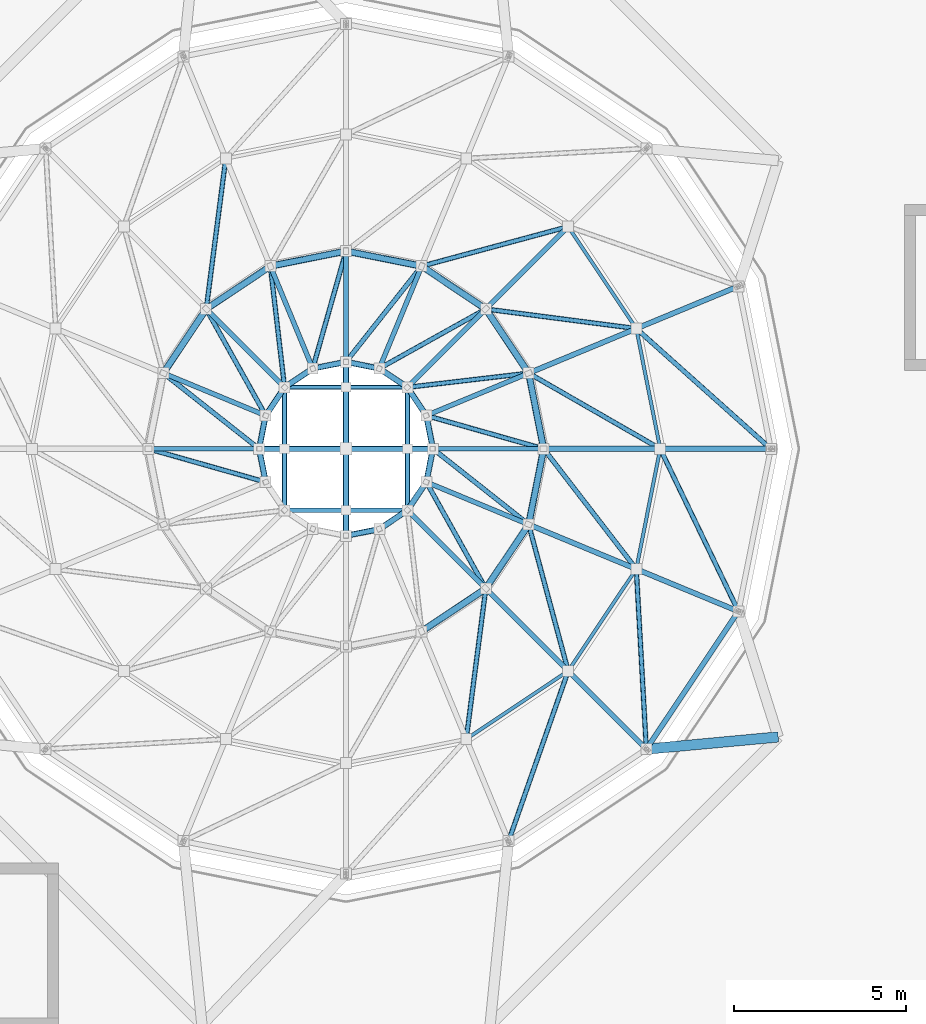
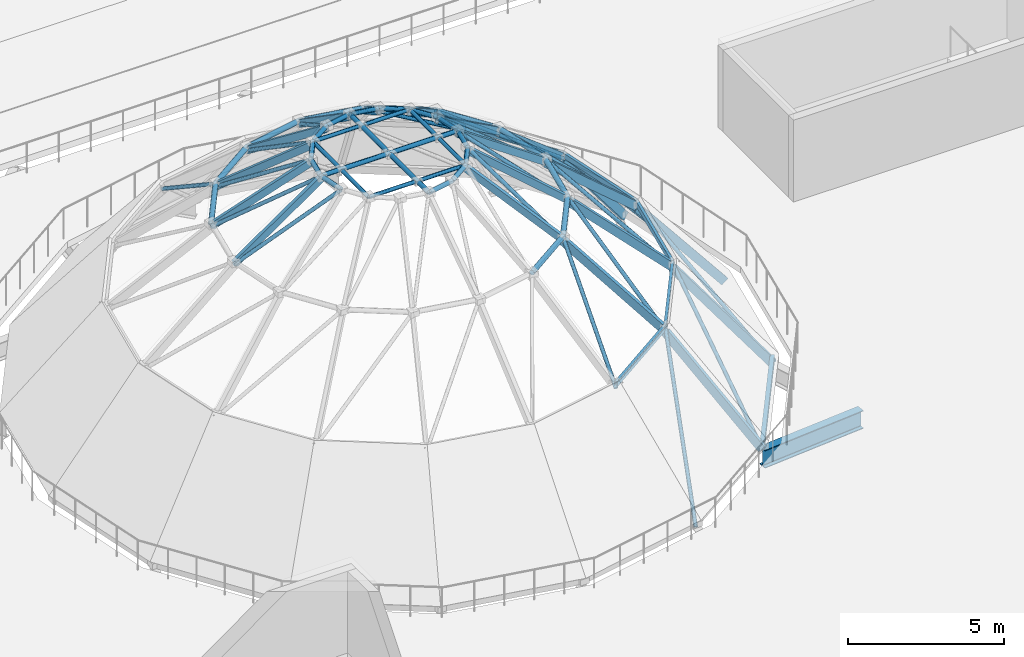
# One storey, part 6 of 40: 82 members, 1 beam.
"""IFC4 building model written with IfcOpenShell, lengths in metres."""

from ifc_helpers import new_model, si_unit, direction, frame, origin, origin_2d, place, context, subcontext, project, spatial, hollow_rectangle, hollow_circle, i_section, extrude, material, material_profile, profile_set, type_object, element, save


model = new_model("IFC4")

# Units and contexts
model_context = context("Model", 3, precision=1e-05, world=origin(), true_north=direction((0.0, 1.0)))
body_context = subcontext(model_context, "Body", "Model", "MODEL_VIEW")
ifc_project = project(units=[si_unit("LENGTHUNIT", "METRE"), si_unit("AREAUNIT", "SQUARE_METRE"), si_unit("VOLUMEUNIT", "CUBIC_METRE"), si_unit("PLANEANGLEUNIT", "RADIAN"), si_unit("MASSUNIT", "GRAM", prefix="KILO"), si_unit("THERMODYNAMICTEMPERATUREUNIT", "KELVIN")], contexts=[model_context])

# Site, building, storey
site_placement = place(None, origin())
site = spatial("IfcSite", under=ifc_project, at=site_placement, CompositionType="ELEMENT")
building_placement = place(site_placement, origin())
building = spatial("IfcBuilding", under=site, at=building_placement, Name="Lustrewick Department Store", CompositionType="ELEMENT")
storey_placement = place(building_placement, frame((0.0, 0.0, 31.800048828125)))
storey = spatial("IfcBuildingStorey", under=building, at=storey_placement, Name="L07", CompositionType="ELEMENT", Elevation=31.800048828125)

# Members
ifc_material_1 = material(Name="Structural steel Q355C", Category="steel")
ifc_material_profile_1 = material_profile(ifc_material_1, hollow_rectangle(XDim=0.14990234375, YDim=0.300048828125, WallThickness=0.010009765625, at=origin_2d()), Name="RHS 300x150x10")
ifc_profile_set_1 = profile_set([ifc_material_profile_1], Name="Structural steel Q355C")
member_type_1 = type_object("IfcMemberType", Name="DR01", PredefinedType="USERDEFINED", material=ifc_profile_set_1)
member_1_placement = place(storey_placement, frame((38.15576171875, 58.4443359375, -0.170654296875), z_axis=(0.55556285078, 0.83147454491, 0.0), x_axis=(-0.83147454491, 0.55556285078, 0.0)))
element("IfcMember", 1, at=member_1_placement, inside=storey, type_object=member_type_1, Name="L07 Dome Drum Tension Ring Beam 15", ObjectType="ARCH_SEGMENT", PredefinedType="USERDEFINED", context=body_context, shape_type="SweptSolid", body=[
    extrude(hollow_rectangle(XDim=0.14990234375, YDim=0.300048828125, WallThickness=0.010009765625, at=origin_2d()), origin(), (0.0, 0.0, 1.0), 4.831298828125),
])
for number, where, z_axis, x_axis, name in (
    (2, (41.782470703125, 67.199951171875, -0.32666015625), (-0.627125427781, 0.0, 0.778918287005), (0.0, -1.0, 0.0), "V1 Dome Arch Segment 1.01"),
    (3, (40.83984375, 71.938720703125, -0.32666015625), (-0.579377901493, -0.240017807162, 0.778917646165), (0.382726472086, -0.9238617037, 0.0), "V1 Dome Arch Segment 1.02"),
    (4, (38.15576171875, 58.4443359375, -0.32666015625), (-0.443459475704, 0.443411965583, 0.778928444844), (-0.707068900128, -0.707144660216, 0.0), "V1 Dome Arch Segment 1.15"),
    (5, (40.83984375, 62.46142578125, -0.32666015625), (-0.579384507666, 0.239973033885, 0.778926527527), (-0.38266180877, -0.923888489001, 0.0), "V1 Dome Arch Segment 1.16"),
):
    element("IfcMember", number, at=place(storey_placement, frame(where, z_axis=z_axis, x_axis=x_axis)), inside=storey, type_object=member_type_1, Name=name, ObjectType="ARCH_SEGMENT", PredefinedType="USERDEFINED", context=body_context, shape_type="SweptSolid", body=[
        extrude(hollow_rectangle(XDim=0.14990234375, YDim=0.300048828125, WallThickness=0.010009765625, at=origin_2d()), origin(), (0.0, 0.0, 1.0), 5.138671875),
    ])
member_2_placement = place(storey_placement, frame((38.539306640625, 67.199951171875, 3.746337890625), z_axis=(-0.760656585404, 0.0, 0.649154495542), x_axis=(0.0, -1.0, 0.0)))
element("IfcMember", 6, at=member_2_placement, inside=storey, type_object=member_type_1, Name="V1 Dome Arch Segment 2.01", ObjectType="ARCH_SEGMENT", PredefinedType="USERDEFINED", context=body_context, shape_type="SweptSolid", body=[
    extrude(hollow_rectangle(XDim=0.14990234375, YDim=0.300048828125, WallThickness=0.010009765625, at=origin_2d()), origin(), (0.0, 0.0, 1.0), 4.438232421875),
])
member_3_placement = place(storey_placement, frame((37.84375, 70.697509765625, 3.746337890625), z_axis=(-0.702768730496, -0.291096753427, 0.649136959032), x_axis=(0.382683896966, -0.923879340067, 0.0)))
element("IfcMember", 7, at=member_3_placement, inside=storey, type_object=member_type_1, Name="V1 Dome Arch Segment 2.02", ObjectType="ARCH_SEGMENT", PredefinedType="USERDEFINED", context=body_context, shape_type="SweptSolid", body=[
    extrude(hollow_rectangle(XDim=0.14990234375, YDim=0.300048828125, WallThickness=0.010009765625, at=origin_2d()), origin(), (0.0, 0.0, 1.0), 4.4384765625),
])
member_4_placement = place(storey_placement, frame((35.862548828125, 73.66259765625, 3.746337890625), z_axis=(-0.537868383563, -0.537868383563, 0.649149600575), x_axis=(0.707106781187, -0.707106781187, 0.0)))
element("IfcMember", 8, at=member_4_placement, inside=storey, type_object=member_type_1, Name="V1 Dome Arch Segment 2.03", ObjectType="ARCH_SEGMENT", PredefinedType="USERDEFINED", context=body_context, shape_type="SweptSolid", body=[
    extrude(hollow_rectangle(XDim=0.14990234375, YDim=0.300048828125, WallThickness=0.010009765625, at=origin_2d()), origin(), (0.0, 0.0, 1.0), 4.438232421875),
])
for number, where, z_axis, x_axis, name in (
    (9, (35.862548828125, 60.7373046875, 3.746337890625), (-0.537852469504, 0.537907475893, 0.649130394009), (-0.707142936461, -0.707070624063, 0.0), "V1 Dome Arch Segment 2.15"),
    (10, (37.84375, 63.702392578125, 3.746337890625), (-0.702768730496, 0.291096753427, 0.649136959032), (-0.382683896966, -0.923879340067, 0.0), "V1 Dome Arch Segment 2.16"),
):
    element("IfcMember", number, at=place(storey_placement, frame(where, z_axis=z_axis, x_axis=x_axis)), inside=storey, type_object=member_type_1, Name=name, ObjectType="ARCH_SEGMENT", PredefinedType="USERDEFINED", context=body_context, shape_type="SweptSolid", body=[
        extrude(hollow_rectangle(XDim=0.14990234375, YDim=0.300048828125, WallThickness=0.010009765625, at=origin_2d()), origin(), (0.0, 0.0, 1.0), 4.4384765625),
    ])
ifc_material_profile_2 = material_profile(ifc_material_1, hollow_rectangle(XDim=0.139892578125, YDim=0.260009765625, WallThickness=0.010009765625, at=origin_2d()), Name="RHS 260x140x10")
ifc_profile_set_2 = profile_set([ifc_material_profile_2], Name="Structural steel Q355C")
member_type_2 = type_object("IfcMemberType", Name="DR02", PredefinedType="USERDEFINED", material=ifc_profile_set_2)
for number, where, z_axis, x_axis, name in (
    (11, (35.14404296875, 67.199951171875, 6.68505859375), (-0.823365173466, 0.0, 0.56751193038), (0.0, -1.0, 0.0), "V1 Dome Arch Segment 3.01"),
    (12, (34.706787109375, 69.398193359375, 6.68505859375), (-0.760678120643, -0.315106762038, 0.567517863413), (0.382707864323, -0.923869412085, 0.0), "V1 Dome Arch Segment 3.02"),
):
    element("IfcMember", number, at=place(storey_placement, frame(where, z_axis=z_axis, x_axis=x_axis)), inside=storey, type_object=member_type_2, Name=name, ObjectType="ARCH_SEGMENT", PredefinedType="USERDEFINED", context=body_context, shape_type="SweptSolid", body=[
        extrude(hollow_rectangle(XDim=0.139892578125, YDim=0.260009765625, WallThickness=0.010009765625, at=origin_2d()), origin(), (0.0, 0.0, 1.0), 3.89794921875),
    ])
member_5_placement = place(storey_placement, frame((33.461669921875, 71.26171875, 6.68505859375), z_axis=(-0.582214646702, -0.582214646702, 0.56749644081), x_axis=(0.707106781187, -0.707106781187, 0.0)))
element("IfcMember", 13, at=member_5_placement, inside=storey, type_object=member_type_2, Name="V1 Dome Arch Segment 3.03", ObjectType="ARCH_SEGMENT", PredefinedType="USERDEFINED", context=body_context, shape_type="SweptSolid", body=[
    extrude(hollow_rectangle(XDim=0.139892578125, YDim=0.260009765625, WallThickness=0.010009765625, at=origin_2d()), origin(), (0.0, 0.0, 1.0), 3.898193359375),
])
for number, where, z_axis, x_axis, name in (
    (14, (31.59814453125, 72.5068359375, 6.68505859375), (-0.315106762038, -0.760678120643, 0.567517863413), (0.923869412085, -0.382707864323, 0.0), "V1 Dome Arch Segment 3.04"),
    (15, (29.39990234375, 72.944091796875, 6.68505859375), (0.0, -0.823365173466, 0.56751193038), (1.0, 0.0, 0.0), "V1 Dome Arch Segment 3.05"),
    (16, (27.201904296875, 72.5068359375, 6.68505859375), (0.315106762038, -0.760678120643, 0.567517863413), (0.923869412085, 0.382707864323, 0.0), "V1 Dome Arch Segment 3.06"),
):
    element("IfcMember", number, at=place(storey_placement, frame(where, z_axis=z_axis, x_axis=x_axis)), inside=storey, type_object=member_type_2, Name=name, ObjectType="ARCH_SEGMENT", PredefinedType="USERDEFINED", context=body_context, shape_type="SweptSolid", body=[
        extrude(hollow_rectangle(XDim=0.139892578125, YDim=0.260009765625, WallThickness=0.010009765625, at=origin_2d()), origin(), (0.0, 0.0, 1.0), 3.89794921875),
    ])
member_6_placement = place(storey_placement, frame((25.33837890625, 71.26171875, 6.68505859375), z_axis=(0.582214646702, -0.582214646702, 0.56749644081), x_axis=(0.707106781187, 0.707106781187, 0.0)))
element("IfcMember", 17, at=member_6_placement, inside=storey, type_object=member_type_2, Name="V1 Dome Arch Segment 3.07", ObjectType="ARCH_SEGMENT", PredefinedType="USERDEFINED", context=body_context, shape_type="SweptSolid", body=[
    extrude(hollow_rectangle(XDim=0.139892578125, YDim=0.260009765625, WallThickness=0.010009765625, at=origin_2d()), origin(), (0.0, 0.0, 1.0), 3.898193359375),
])
for number, where, z_axis, x_axis, name in (
    (18, (24.09326171875, 69.398193359375, 6.68505859375), (0.760678120643, -0.315106762038, 0.567517863413), (0.382707864323, 0.923869412085, 0.0), "V1 Dome Arch Segment 3.08"),
    (19, (23.656005859375, 67.199951171875, 6.68505859375), (0.823365173466, 0.0, 0.56751193038), (0.0, 1.0, 0.0), "V1 Dome Arch Segment 3.09"),
    (20, (33.461669921875, 63.138427734375, 6.68505859375), (-0.582235876881, 0.582173243934, 0.567517134296), (-0.707068745266, -0.707144815061, 0.0), "V1 Dome Arch Segment 3.15"),
    (21, (34.706787109375, 65.001708984375, 6.68505859375), (-0.760678120643, 0.315106762038, 0.567517863413), (-0.382707864323, -0.923869412085, 0.0), "V1 Dome Arch Segment 3.16"),
):
    element("IfcMember", number, at=place(storey_placement, frame(where, z_axis=z_axis, x_axis=x_axis)), inside=storey, type_object=member_type_2, Name=name, ObjectType="ARCH_SEGMENT", PredefinedType="USERDEFINED", context=body_context, shape_type="SweptSolid", body=[
        extrude(hollow_rectangle(XDim=0.139892578125, YDim=0.260009765625, WallThickness=0.010009765625, at=origin_2d()), origin(), (0.0, 0.0, 1.0), 3.89794921875),
    ])
ifc_material_2 = material(Name="Structural steel Q355B", Category="steel")
ifc_material_profile_3 = material_profile(ifc_material_2, hollow_rectangle(XDim=0.10009765625, YDim=0.199951171875, WallThickness=0.008056640625, at=origin_2d()), Name="RHS 200x100x8")
ifc_profile_set_3 = profile_set([ifc_material_profile_3], Name="Structural steel Q355B")
member_type_3 = type_object("IfcMemberType", Name="DR04", PredefinedType="PURLIN", material=ifc_profile_set_3)
for number, where, z_axis, x_axis, name in (
    (22, (38.559814453125, 67.199951171875, 3.865966796875), (-0.195091388425, 0.980785068281, 0.0), (-0.980785068281, -0.195091388425, 0.0), "V1 Dome Tension Ring Member 1.01"),
    (23, (37.862548828125, 70.705322265625, 3.865966796875), (-0.555566909235, 0.831471833175, 0.0), (-0.831471833175, -0.555566909235, 0.0), "V1 Dome Tension Ring Member 1.02"),
    (24, (32.9052734375, 58.7373046875, 3.865966796875), (0.831471833175, 0.555566909235, 0.0), (-0.555566909235, 0.831471833175, 0.0), "V1 Dome Tension Ring Member 1.14"),
    (25, (35.876953125, 60.722900390625, 3.865966796875), (0.555566909235, 0.831471833175, 0.0), (-0.831471833175, 0.555566909235, 0.0), "V1 Dome Tension Ring Member 1.15"),
    (26, (37.862548828125, 63.694580078125, 3.865966796875), (0.195091388425, 0.980785068281, 0.0), (-0.980785068281, 0.195091388425, 0.0), "V1 Dome Tension Ring Member 1.16"),
):
    element("IfcMember", number, at=place(storey_placement, frame(where, z_axis=z_axis, x_axis=x_axis)), inside=storey, type_object=member_type_3, Name=name, PredefinedType="PURLIN", context=body_context, shape_type="SweptSolid", body=[
        extrude(hollow_rectangle(XDim=0.10009765625, YDim=0.199951171875, WallThickness=0.008056640625, at=origin_2d()), origin(), (0.0, 0.0, 1.0), 3.573974609375),
    ])
ifc_material_profile_4 = material_profile(ifc_material_1, hollow_circle(Radius=0.096923828125, WallThickness=0.008056640625, at=origin_2d()), Name="CHS 194x8")
ifc_profile_set_4 = profile_set([ifc_material_profile_4], Name="Structural steel Q355C")
member_type_4 = type_object("IfcMemberType", Name="DR07", PredefinedType="CHORD", material=ifc_profile_set_4)
for number, where, z_axis, x_axis, name in (
    (27, (35.163330078125, 67.199951171875, 6.77783203125), (-0.195093003157, 0.980784747087, 0.0), (-0.980784747087, -0.195093003157, 0.0), "V1 Dome Tension Ring Member 2.01"),
    (28, (34.724609375, 69.405517578125, 6.77783203125), (-0.555526685996, 0.831498707844, 0.0), (-0.831498707844, -0.555526685996, 0.0), "V1 Dome Tension Ring Member 2.02"),
):
    element("IfcMember", number, at=place(storey_placement, frame(where, z_axis=z_axis, x_axis=x_axis)), inside=storey, type_object=member_type_4, Name=name, PredefinedType="CHORD", context=body_context, shape_type="SweptSolid", body=[
        extrude(hollow_circle(Radius=0.096923828125, WallThickness=0.008056640625, at=origin_2d()), origin(), (0.0, 0.0, 1.0), 2.248779296875),
    ])
member_7_placement = place(storey_placement, frame((33.475341796875, 71.275390625, 6.77783203125), z_axis=(-0.831465199099, 0.555576837789, 0.0), x_axis=(-0.555576837789, -0.831465199099, 0.0)))
element("IfcMember", 29, at=member_7_placement, inside=storey, type_object=member_type_4, Name="V1 Dome Tension Ring Member 2.03", PredefinedType="CHORD", context=body_context, shape_type="SweptSolid", body=[
    extrude(hollow_circle(Radius=0.096923828125, WallThickness=0.008056640625, at=origin_2d()), origin(), (0.0, 0.0, 1.0), 2.24853515625),
])
member_8_placement = place(storey_placement, frame((31.605712890625, 72.524658203125, 6.77783203125), z_axis=(-0.980788878586, 0.195072231856, 0.0), x_axis=(-0.195072231856, -0.980788878586, 0.0)))
element("IfcMember", 30, at=member_8_placement, inside=storey, type_object=member_type_4, Name="V1 Dome Tension Ring Member 2.04", PredefinedType="CHORD", context=body_context, shape_type="SweptSolid", body=[
    extrude(hollow_circle(Radius=0.096923828125, WallThickness=0.008056640625, at=origin_2d()), origin(), (0.0, 0.0, 1.0), 2.2490234375),
])
member_9_placement = place(storey_placement, frame((29.39990234375, 72.96337890625, 6.77783203125), z_axis=(-0.980784747087, -0.195093003157, 0.0), x_axis=(0.195093003157, -0.980784747087, 0.0)))
element("IfcMember", 31, at=member_9_placement, inside=storey, type_object=member_type_4, Name="V1 Dome Tension Ring Member 2.05", PredefinedType="CHORD", context=body_context, shape_type="SweptSolid", body=[
    extrude(hollow_circle(Radius=0.096923828125, WallThickness=0.008056640625, at=origin_2d()), origin(), (0.0, 0.0, 1.0), 2.248779296875),
])
member_10_placement = place(storey_placement, frame((27.1943359375, 72.524658203125, 6.77783203125), z_axis=(-0.831465199099, -0.555576837789, 0.0), x_axis=(0.555576837789, -0.831465199099, 0.0)))
element("IfcMember", 32, at=member_10_placement, inside=storey, type_object=member_type_4, Name="V1 Dome Tension Ring Member 2.06", PredefinedType="CHORD", context=body_context, shape_type="SweptSolid", body=[
    extrude(hollow_circle(Radius=0.096923828125, WallThickness=0.008056640625, at=origin_2d()), origin(), (0.0, 0.0, 1.0), 2.24853515625),
])
member_11_placement = place(storey_placement, frame((25.32470703125, 71.275390625, 6.77783203125), z_axis=(-0.555601739915, -0.831448559205, 0.0), x_axis=(0.831448559205, -0.555601739915, 0.0)))
element("IfcMember", 33, at=member_11_placement, inside=storey, type_object=member_type_4, Name="V1 Dome Tension Ring Member 2.07", PredefinedType="CHORD", context=body_context, shape_type="SweptSolid", body=[
    extrude(hollow_circle(Radius=0.096923828125, WallThickness=0.008056640625, at=origin_2d()), origin(), (0.0, 0.0, 1.0), 2.2490234375),
])
member_12_placement = place(storey_placement, frame((31.605712890625, 61.875244140625, 6.77783203125), z_axis=(0.831415043426, 0.555651892433, 0.0), x_axis=(-0.555651892433, 0.831415043426, 0.0)))
element("IfcMember", 34, at=member_12_placement, inside=storey, type_object=member_type_4, Name="V1 Dome Tension Ring Member 2.14", PredefinedType="CHORD", context=body_context, shape_type="SweptSolid", body=[
    extrude(hollow_circle(Radius=0.096923828125, WallThickness=0.008056640625, at=origin_2d()), origin(), (0.0, 0.0, 1.0), 2.248779296875),
])
member_13_placement = place(storey_placement, frame((33.475341796875, 63.124755859375, 6.77783203125), z_axis=(0.555576837789, 0.831465199099, 0.0), x_axis=(-0.831465199099, 0.555576837789, 0.0)))
element("IfcMember", 35, at=member_13_placement, inside=storey, type_object=member_type_4, Name="V1 Dome Tension Ring Member 2.15", PredefinedType="CHORD", context=body_context, shape_type="SweptSolid", body=[
    extrude(hollow_circle(Radius=0.096923828125, WallThickness=0.008056640625, at=origin_2d()), origin(), (0.0, 0.0, 1.0), 2.24853515625),
])
member_14_placement = place(storey_placement, frame((34.724609375, 64.994384765625, 6.77783203125), z_axis=(0.195093003157, 0.980784747087, 0.0), x_axis=(-0.980784747087, 0.195093003157, 0.0)))
element("IfcMember", 36, at=member_14_placement, inside=storey, type_object=member_type_4, Name="V1 Dome Tension Ring Member 2.16", PredefinedType="CHORD", context=body_context, shape_type="SweptSolid", body=[
    extrude(hollow_circle(Radius=0.096923828125, WallThickness=0.008056640625, at=origin_2d()), origin(), (0.0, 0.0, 1.0), 2.248779296875),
])
ifc_material_profile_5 = material_profile(ifc_material_1, hollow_circle(Radius=0.083984375, WallThickness=0.008056640625, at=origin_2d()), Name="CHS 168x8")
ifc_profile_set_5 = profile_set([ifc_material_profile_5], Name="Structural steel Q355C")
member_type_5 = type_object("IfcMemberType", Name="DR08", PredefinedType="CHORD", material=ifc_profile_set_5)
for number, where, z_axis, x_axis, name in (
    (37, (31.9345703125, 67.199951171875, 8.9951171875), (-0.195024106431, 0.980798449178, 0.0), (-0.980798449178, -0.195024106431, 0.0), "V1 Dome Oculus Tension Ring Chord 3.01"),
    (38, (31.74169921875, 68.169921875, 8.9951171875), (-0.555668247551, 0.831404112729, 0.0), (-0.831404112729, -0.555668247552, 0.0), "V1 Dome Oculus Tension Ring Chord 3.02"),
    (39, (31.192138671875, 68.9921875, 8.9951171875), (-0.831404112729, 0.555668247551, 0.0), (-0.555668247552, -0.831404112729, 0.0), "V1 Dome Oculus Tension Ring Chord 3.03"),
    (40, (30.369873046875, 69.541748046875, 8.9951171875), (-0.980798449178, 0.195024106431, 0.0), (-0.195024106431, -0.980798449178, 0.0), "V1 Dome Oculus Tension Ring Chord 3.04"),
):
    element("IfcMember", number, at=place(storey_placement, frame(where, z_axis=z_axis, x_axis=x_axis)), inside=storey, type_object=member_type_5, Name=name, PredefinedType="CHORD", context=body_context, shape_type="SweptSolid", body=[
        extrude(hollow_circle(Radius=0.083984375, WallThickness=0.008056640625, at=origin_2d()), origin(), (0.0, 0.0, 1.0), 0.989013671875),
    ])
member_15_placement = place(storey_placement, frame((29.39990234375, 69.734619140625, 8.9951171875), z_axis=(-0.980789056368, -0.195071337999, 0.0), x_axis=(0.195071337999, -0.980789056368, 0.0)))
element("IfcMember", 41, at=member_15_placement, inside=storey, type_object=member_type_5, Name="V1 Dome Oculus Tension Ring Chord 3.05", PredefinedType="CHORD", context=body_context, shape_type="SweptSolid", body=[
    extrude(hollow_circle(Radius=0.083984375, WallThickness=0.008056640625, at=origin_2d()), origin(), (0.0, 0.0, 1.0), 0.98876953125),
])
for number, where, z_axis, x_axis, name in (
    (42, (28.43017578125, 69.541748046875, 8.9951171875), (-0.831404112729, -0.555668247551, 0.0), (0.555668247552, -0.831404112729, 0.0), "V1 Dome Oculus Tension Ring Chord 3.06"),
    (43, (27.60791015625, 68.9921875, 8.9951171875), (-0.555668247551, -0.831404112729, 0.0), (0.831404112729, -0.555668247552, 0.0), "V1 Dome Oculus Tension Ring Chord 3.07"),
    (44, (27.058349609375, 68.169921875, 8.9951171875), (-0.195024106431, -0.980798449178, 0.0), (0.980798449178, -0.195024106431, 0.0), "V1 Dome Oculus Tension Ring Chord 3.08"),
    (45, (26.865478515625, 67.199951171875, 8.9951171875), (0.195024106431, -0.980798449178, 0.0), (0.980798449178, 0.195024106431, 0.0), "V1 Dome Oculus Tension Ring Chord 3.09"),
    (46, (29.39990234375, 64.665283203125, 8.9951171875), (0.980751202349, 0.195261565834, 0.0), (-0.195261565834, 0.980751202349, 0.0), "V1 Dome Oculus Tension Ring Chord 3.13"),
):
    element("IfcMember", number, at=place(storey_placement, frame(where, z_axis=z_axis, x_axis=x_axis)), inside=storey, type_object=member_type_5, Name=name, PredefinedType="CHORD", context=body_context, shape_type="SweptSolid", body=[
        extrude(hollow_circle(Radius=0.083984375, WallThickness=0.008056640625, at=origin_2d()), origin(), (0.0, 0.0, 1.0), 0.989013671875),
    ])
member_16_placement = place(storey_placement, frame((30.369873046875, 64.8583984375, 8.9951171875), z_axis=(0.831518153648, 0.555497578892, 0.0), x_axis=(-0.555497578892, 0.831518153648, 0.0)))
element("IfcMember", 47, at=member_16_placement, inside=storey, type_object=member_type_5, Name="V1 Dome Oculus Tension Ring Chord 3.14", PredefinedType="CHORD", context=body_context, shape_type="SweptSolid", body=[
    extrude(hollow_circle(Radius=0.083984375, WallThickness=0.008056640625, at=origin_2d()), origin(), (0.0, 0.0, 1.0), 0.98876953125),
])
for number, where, z_axis, x_axis, name in (
    (48, (31.192138671875, 65.40771484375, 8.9951171875), (0.555668247551, 0.831404112729, 0.0), (-0.831404112729, 0.555668247552, 0.0), "V1 Dome Oculus Tension Ring Chord 3.15"),
    (49, (31.74169921875, 66.22998046875, 8.9951171875), (0.195024106431, 0.980798449178, 0.0), (-0.980798449178, 0.195024106431, 0.0), "V1 Dome Oculus Tension Ring Chord 3.16"),
):
    element("IfcMember", number, at=place(storey_placement, frame(where, z_axis=z_axis, x_axis=x_axis)), inside=storey, type_object=member_type_5, Name=name, PredefinedType="CHORD", context=body_context, shape_type="SweptSolid", body=[
        extrude(hollow_circle(Radius=0.083984375, WallThickness=0.008056640625, at=origin_2d()), origin(), (0.0, 0.0, 1.0), 0.989013671875),
    ])
member_17_placement = place(storey_placement, frame((31.9345703125, 67.199951171875, 8.9951171875), z_axis=(-1.0, 0.0, 0.0), x_axis=(0.0, -1.0, 0.0)))
element("IfcMember", 50, at=member_17_placement, inside=storey, type_object=member_type_5, Name="V1 Dome Oculus Radial Tension Tie Spoke 1", PredefinedType="CHORD", context=body_context, shape_type="SweptSolid", body=[
    extrude(hollow_circle(Radius=0.083984375, WallThickness=0.008056640625, at=origin_2d()), origin(), (0.0, 0.0, 1.0), 5.069091796875),
])
for number, where, z_axis, x_axis, name in (
    (51, (29.39990234375, 69.734619140625, 8.9951171875), (0.0, -1.0, 0.0), (1.0, 0.0, 0.0), "V1 Dome Oculus Radial Tension Tie Spoke 2"),
    (52, (29.39990234375, 64.665283203125, 8.9951171875), (0.0, 1.0, 0.0), (-1.0, 0.0, 0.0), "V1 Dome Oculus Radial Tension Tie Spoke 3"),
):
    element("IfcMember", number, at=place(storey_placement, frame(where, z_axis=z_axis, x_axis=x_axis)), inside=storey, type_object=member_type_5, Name=name, PredefinedType="CHORD", context=body_context, shape_type="SweptSolid", body=[
        extrude(hollow_circle(Radius=0.083984375, WallThickness=0.008056640625, at=origin_2d()), origin(), (0.0, 0.0, 1.0), 2.44970703125),
    ])
ifc_material_profile_6 = material_profile(ifc_material_1, hollow_circle(Radius=0.070068359375, WallThickness=0.006103515625, at=origin_2d()), Name="CHS 140x6")
ifc_profile_set_6 = profile_set([ifc_material_profile_6], Name="Structural steel Q355C")
member_type_6 = type_object("IfcMemberType", Name="DR10", PredefinedType="BRACE", material=ifc_profile_set_6)
member_18_placement = place(storey_placement, frame((41.782470703125, 67.199951171875, -0.3515625), z_axis=(-0.582586158386, 0.520974841935, 0.623841792547), x_axis=(-0.666591272375, -0.745423420341, 0.0)))
element("IfcMember", 53, at=member_18_placement, inside=storey, type_object=member_type_6, Name="V1 Dome Wind Brace 1.01", PredefinedType="BRACE", context=body_context, shape_type="SweptSolid", body=[
    extrude(hollow_circle(Radius=0.070068359375, WallThickness=0.006103515625, at=origin_2d()), origin(), (0.0, 0.0, 1.0), 6.728515625),
])
for number, where, z_axis, x_axis, name in (
    (54, (34.138671875, 55.760009765625, -0.3515625), (0.258350932794, 0.737606427224, 0.623852189259), (-0.943783054816, 0.330565493422, 0.0), "V1 Dome Wind Brace 1.14"),
    (55, (38.15576171875, 58.4443359375, -0.3515625), (-0.043578994936, 0.78032163705, 0.623858168138), (-0.998444168104, -0.055760588044, 0.0), "V1 Dome Wind Brace 1.15"),
    (56, (40.83984375, 62.46142578125, -0.3515625), (-0.338866946884, 0.704258333021, 0.623850456985), (-0.901111867275, -0.433586672599, 0.0), "V1 Dome Wind Brace 1.16"),
):
    element("IfcMember", number, at=place(storey_placement, frame(where, z_axis=z_axis, x_axis=x_axis)), inside=storey, type_object=member_type_6, Name=name, PredefinedType="BRACE", context=body_context, shape_type="SweptSolid", body=[
        extrude(hollow_circle(Radius=0.070068359375, WallThickness=0.006103515625, at=origin_2d()), origin(), (0.0, 0.0, 1.0), 6.728271484375),
    ])
member_19_placement = place(storey_placement, frame((38.559814453125, 67.199951171875, 3.703857421875), z_axis=(-0.71341124411, 0.410271639143, 0.568085890418), x_axis=(-0.498526073294, -0.866874705045, 0.0)))
element("IfcMember", 57, at=member_19_placement, inside=storey, type_object=member_type_6, Name="V1 Dome Wind Brace 2.01", PredefinedType="BRACE", context=body_context, shape_type="SweptSolid", body=[
    extrude(hollow_circle(Radius=0.070068359375, WallThickness=0.006103515625, at=origin_2d()), origin(), (0.0, 0.0, 1.0), 5.3759765625),
])
for number, where, z_axis, x_axis, name in (
    (58, (37.862548828125, 70.705322265625, 3.703857421875), (-0.816103387628, 0.106043484146, 0.568093337553), (-0.128855536027, -0.991663375766, 0.0), "V1 Dome Wind Brace 2.02"),
    (59, (35.876953125, 73.677001953125, 3.703857421875), (-0.794547514554, -0.214362061657, 0.568104879083), (0.260478104755, -0.965479754808, 0.0), "V1 Dome Wind Brace 2.03"),
    (60, (25.894775390625, 75.66259765625, 3.703857421875), (-0.106043484146, -0.816103387628, 0.568093337553), (0.991663375766, -0.128855536027, 0.0), "V1 Dome Wind Brace 2.06"),
):
    element("IfcMember", number, at=place(storey_placement, frame(where, z_axis=z_axis, x_axis=x_axis)), inside=storey, type_object=member_type_6, Name=name, PredefinedType="BRACE", context=body_context, shape_type="SweptSolid", body=[
        extrude(hollow_circle(Radius=0.070068359375, WallThickness=0.006103515625, at=origin_2d()), origin(), (0.0, 0.0, 1.0), 5.375732421875),
    ])
for number, where, z_axis, x_axis, name in (
    (61, (32.9052734375, 58.7373046875, 3.703857421875), (0.10603955395, 0.816118554194, 0.568072282812), (-0.991664291958, 0.128848484877, 0.0), "V1 Dome Wind Brace 2.14"),
    (62, (35.876953125, 60.722900390625, 3.703857421875), (-0.214354326616, 0.794564258152, 0.568084379585), (-0.965483498817, -0.260464226933, 0.0), "V1 Dome Wind Brace 2.15"),
    (63, (37.862548828125, 63.694580078125, 3.703857421875), (-0.502098339502, 0.652055712606, 0.56808503336), (-0.792320280704, -0.610105378427, 0.0), "V1 Dome Wind Brace 2.16"),
):
    element("IfcMember", number, at=place(storey_placement, frame(where, z_axis=z_axis, x_axis=x_axis)), inside=storey, type_object=member_type_6, Name=name, PredefinedType="BRACE", context=body_context, shape_type="SweptSolid", body=[
        extrude(hollow_circle(Radius=0.070068359375, WallThickness=0.006103515625, at=origin_2d()), origin(), (0.0, 0.0, 1.0), 5.3759765625),
    ])
for number, where, z_axis, x_axis, name in (
    (64, (35.163330078125, 67.199951171875, 6.646484375), (-0.804903795302, 0.22817572449, 0.547782547241), (-0.272734956943, -0.962089207538, 0.0), "V1 Dome Wind Brace 3.01"),
    (65, (34.724609375, 69.405517578125, 6.646484375), (-0.830959573149, -0.097229563711, 0.547770572168), (0.116215922679, -0.993223972383, 0.0), "V1 Dome Wind Brace 3.02"),
):
    element("IfcMember", number, at=place(storey_placement, frame(where, z_axis=z_axis, x_axis=x_axis)), inside=storey, type_object=member_type_6, Name=name, PredefinedType="BRACE", context=body_context, shape_type="SweptSolid", body=[
        extrude(hollow_circle(Radius=0.070068359375, WallThickness=0.006103515625, at=origin_2d()), origin(), (0.0, 0.0, 1.0), 4.2509765625),
    ])
for number, where, z_axis, x_axis, name in (
    (66, (33.475341796875, 71.275390625, 6.646484375), (-0.730508620652, -0.407809883274, 0.547766605643), (0.4874428408, -0.873154898602, 0.0), "V1 Dome Wind Brace 3.03"),
    (67, (31.605712890625, 72.524658203125, 6.646484375), (-0.518872673327, -0.65630070955, 0.54775955265), (0.784452093207, -0.620189417407, 0.0), "V1 Dome Wind Brace 3.04"),
):
    element("IfcMember", number, at=place(storey_placement, frame(where, z_axis=z_axis, x_axis=x_axis)), inside=storey, type_object=member_type_6, Name=name, PredefinedType="BRACE", context=body_context, shape_type="SweptSolid", body=[
        extrude(hollow_circle(Radius=0.070068359375, WallThickness=0.006103515625, at=origin_2d()), origin(), (0.0, 0.0, 1.0), 4.251220703125),
    ])
for number, where, z_axis, x_axis, name in (
    (68, (29.39990234375, 72.96337890625, 6.646484375), (-0.228121281954, -0.80491434204, 0.547789724893), (0.962107218459, -0.272671414322, 0.0), "V1 Dome Wind Brace 3.05"),
    (69, (27.1943359375, 72.524658203125, 6.646484375), (0.097286450651, -0.8309549318, 0.547767512579), (0.993216046557, 0.116283639703, 0.0), "V1 Dome Wind Brace 3.06"),
):
    element("IfcMember", number, at=place(storey_placement, frame(where, z_axis=z_axis, x_axis=x_axis)), inside=storey, type_object=member_type_6, Name=name, PredefinedType="BRACE", context=body_context, shape_type="SweptSolid", body=[
        extrude(hollow_circle(Radius=0.070068359375, WallThickness=0.006103515625, at=origin_2d()), origin(), (0.0, 0.0, 1.0), 4.2509765625),
    ])
for number, where, z_axis, x_axis, name in (
    (70, (25.32470703125, 71.275390625, 6.646484375), (0.407809883274, -0.730508620652, 0.547766605643), (0.873154898602, 0.4874428408, 0.0), "V1 Dome Wind Brace 3.07"),
    (71, (24.0751953125, 69.405517578125, 6.646484375), (0.656352956402, -0.518811147794, 0.547755227768), (0.620113779453, 0.784511886802, 0.0), "V1 Dome Wind Brace 3.08"),
):
    element("IfcMember", number, at=place(storey_placement, frame(where, z_axis=z_axis, x_axis=x_axis)), inside=storey, type_object=member_type_6, Name=name, PredefinedType="BRACE", context=body_context, shape_type="SweptSolid", body=[
        extrude(hollow_circle(Radius=0.070068359375, WallThickness=0.006103515625, at=origin_2d()), origin(), (0.0, 0.0, 1.0), 4.251220703125),
    ])
for number, where, z_axis, x_axis, name in (
    (72, (23.63671875, 67.199951171875, 6.646484375), (0.804903795302, -0.22817572449, 0.547782547241), (0.272734956943, 0.962089207538, 0.0), "V1 Dome Wind Brace 3.09"),
    (73, (33.475341796875, 63.124755859375, 6.646484375), (-0.407826992548, 0.730481836111, 0.547789586667), (-0.873138587225, -0.487472058172, 0.0), "V1 Dome Wind Brace 3.15"),
    (74, (34.724609375, 64.994384765625, 6.646484375), (-0.656320266075, 0.518830703861, 0.547775874853), (-0.62014717421, -0.784485488916, 0.0), "V1 Dome Wind Brace 3.16"),
):
    element("IfcMember", number, at=place(storey_placement, frame(where, z_axis=z_axis, x_axis=x_axis)), inside=storey, type_object=member_type_6, Name=name, PredefinedType="BRACE", context=body_context, shape_type="SweptSolid", body=[
        extrude(hollow_circle(Radius=0.070068359375, WallThickness=0.006103515625, at=origin_2d()), origin(), (0.0, 0.0, 1.0), 4.2509765625),
    ])
for number, where, z_axis, x_axis, name in (
    (75, (31.192138671875, 68.9921875, 8.9951171875), (-1.0, 0.0, 0.0), (0.0, -1.0, 0.0), "V1 Dome Oculus Ring Diagonal Tie 1A"),
    (76, (29.30810546875, 68.9921875, 8.9951171875), (-1.0, 0.0, 0.0), (0.0, -1.0, 0.0), "V1 Dome Oculus Ring Diagonal Tie 1B"),
    (77, (27.60791015625, 68.9921875, 8.9951171875), (0.0, -1.0, 0.0), (1.0, 0.0, 0.0), "V1 Dome Oculus Ring Diagonal Tie 2A"),
    (78, (27.60791015625, 67.10791015625, 8.9951171875), (0.0, -1.0, 0.0), (1.0, 0.0, 0.0), "V1 Dome Oculus Ring Diagonal Tie 2B"),
    (79, (27.60791015625, 65.40771484375, 8.9951171875), (1.0, 0.0, 0.0), (0.0, 1.0, 0.0), "V1 Dome Oculus Ring Diagonal Tie 3A"),
    (80, (29.491943359375, 65.40771484375, 8.9951171875), (1.0, 0.0, 0.0), (0.0, 1.0, 0.0), "V1 Dome Oculus Ring Diagonal Tie 3B"),
    (81, (31.192138671875, 65.40771484375, 8.9951171875), (0.0, 1.0, 0.0), (-1.0, 0.0, 0.0), "V1 Dome Oculus Ring Diagonal Tie 4A"),
    (82, (31.192138671875, 67.2919921875, 8.9951171875), (0.0, 1.0, 0.0), (-1.0, 0.0, 0.0), "V1 Dome Oculus Ring Diagonal Tie 4B"),
):
    element("IfcMember", number, at=place(storey_placement, frame(where, z_axis=z_axis, x_axis=x_axis)), inside=storey, type_object=member_type_6, Name=name, PredefinedType="BRACE", context=body_context, shape_type="SweptSolid", body=[
        extrude(hollow_circle(Radius=0.070068359375, WallThickness=0.006103515625, at=origin_2d()), origin(), (0.0, 0.0, 1.0), 1.7001953125),
    ])

# Beam
ifc_material_profile_7 = material_profile(ifc_material_1, i_section(OverallWidth=0.302001953125, OverallDepth=0.7080078125, WebThickness=0.014892578125, FlangeThickness=0.028076171875, FilletRadius=0.02001953125, at=origin_2d()), Name="HN 708x302x15x28")
ifc_profile_set_7 = profile_set([ifc_material_profile_7], Name="Structural steel Q355C")
beam_type = type_object("IfcBeamType", Name="G07", PredefinedType="BEAM", material=ifc_profile_set_7)
beam_placement = place(storey_placement, frame((42.0, 58.800048828125, -0.65966796875), z_axis=(-0.995746262804, -0.092137832142, 0.0), x_axis=(0.092137832142, -0.995746262804, 0.0)))
element("IfcBeam", 83, at=beam_placement, inside=storey, type_object=beam_type, Name="L07 Dome Drum Radial Tension Tie Beam 14", PredefinedType="BEAM", context=body_context, shape_type="SweptSolid", body=[
    extrude(i_section(OverallWidth=0.302001953125, OverallDepth=0.7080078125, WebThickness=0.014892578125, FlangeThickness=0.028076171875, FilletRadius=0.02001953125, at=origin_2d()), origin(), (0.0, 0.0, 1.0), 3.860595703125),
])

save(model, "model.ifc")
